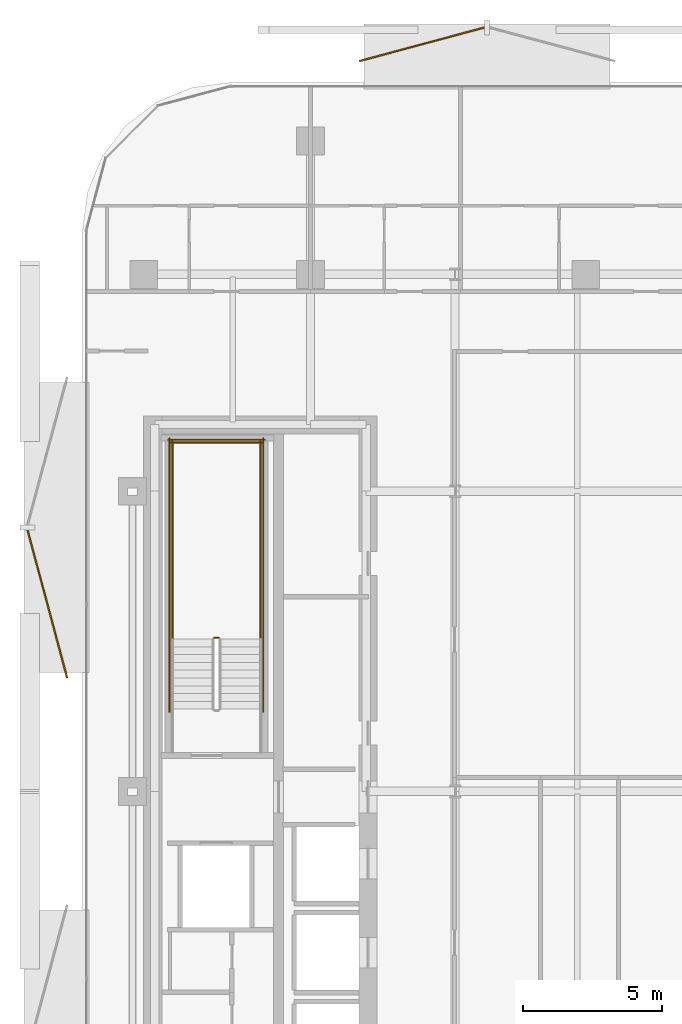
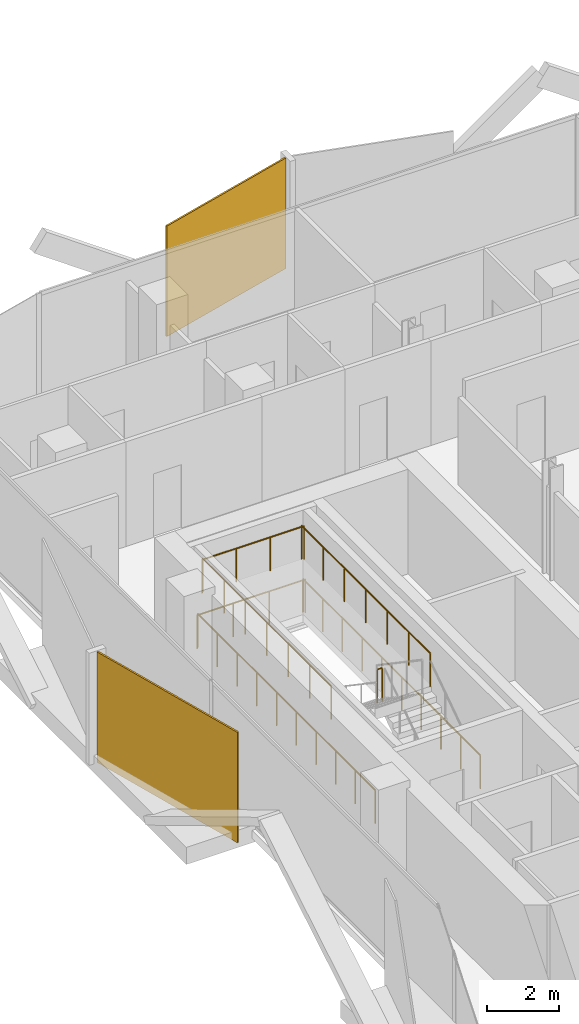
# One storey, part 16 of 17: 7 railings, 2 coverings.
"""IFC4 building model written with IfcOpenShell, lengths in metres."""

from ifc_helpers import new_model, si_unit, direction, frame, origin, origin_2d, place, context, subcontext, project, spatial, rectangle, circle, extrude, material, layer, layer_set, type_object, element, save


model = new_model("IFC4")

# Units and contexts
model_context = context("Model", 3, precision=1e-05, world=origin(), true_north=direction((0.0, 1.0)))
body_context = subcontext(model_context, "Body", "Model", "MODEL_VIEW")
ifc_project = project(units=[si_unit("LENGTHUNIT", "METRE"), si_unit("AREAUNIT", "SQUARE_METRE"), si_unit("VOLUMEUNIT", "CUBIC_METRE"), si_unit("PLANEANGLEUNIT", "RADIAN"), si_unit("MASSUNIT", "GRAM", prefix="KILO")], contexts=[model_context])

# Site, building, storey
site_placement = place(None, origin())
site = spatial("IfcSite", under=ifc_project, at=site_placement, CompositionType="ELEMENT")
building_placement = place(site_placement, origin())
building = spatial("IfcBuilding", under=site, at=building_placement, Name="Khairoan Windgate Tower", CompositionType="ELEMENT")
storey_placement = place(building_placement, frame((0.0, 0.0, 180.199951171875)))
storey = spatial("IfcBuildingStorey", under=building, at=storey_placement, Name="L41", CompositionType="ELEMENT", Elevation=180.199951171875)

# Coverings
ifc_material_1 = material(Name="Anodised Bronze Aluminium 6063-T6", Category="aluminium")
ifc_layer = layer(ifc_material_1, 0.054931640625, Name="Anodised Bronze Aluminium 6063-T6")
ifc_layer_set = layer_set([ifc_layer], Name="Anodised Bronze Aluminium 6063-T6")
covering_type = type_object("IfcCoveringType", Name="Perforated Bronze-Ceramic Folded Solar Screen Cladding BSC-1", PredefinedType="CLADDING", material=ifc_layer_set)
covering_1_placement = place(storey_placement, frame((-23.8671875, 6.74560546875, -0.10009765625), z_axis=(0.0, 0.0, 1.0), x_axis=(-0.258819045103, 0.965925826289, 0.0)))
element("IfcCovering", 1, at=covering_1_placement, inside=storey, type_object=covering_type, Name="L41 Folded Bronze Solar Screen Facet 268L", PredefinedType="CLADDING", context=body_context, shape_type="SweptSolid", body=[
    extrude(rectangle(XDim=5.507080078125, YDim=0.054931640625, at=origin_2d()), origin(), (0.0, 0.0, 1.0), 3.739990234375),
])
covering_2_placement = place(storey_placement, frame((-10.388916015625, 26.876220703125, -0.10009765625), z_axis=(0.0, 0.0, 1.0), x_axis=(0.965925826289, 0.258819045103, 0.0)))
element("IfcCovering", 2, at=covering_2_placement, inside=storey, type_object=covering_type, Name="L41 Folded Bronze Solar Screen Facet 269L", PredefinedType="CLADDING", context=body_context, shape_type="SweptSolid", body=[
    extrude(rectangle(XDim=4.666015625, YDim=0.054931640625, at=origin_2d()), origin(), (0.0, 0.0, 1.0), 3.739990234375),
])

# Railings
ifc_material_2 = material(Name="Steel S355", Category="steel")
railing_type = type_object("IfcRailingType", Name="Stairwell Safety Guardrail SGR-1150", PredefinedType="GUARDRAIL", material=ifc_material_2)
railing_1_placement = place(storey_placement, frame((-17.7099609375, 5.530029296875, 1.900146484375)))
element("IfcRailing", 3, at=railing_1_placement, inside=storey, type_object=railing_type, Name="L41 ST2 stair guard 2", PredefinedType="GUARDRAIL", context=body_context, shape_type="SweptSolid", body=[
    extrude(circle(Radius=0.02392578125, at=origin_2d()), frame((0.0, 0.0, 1.1259765625), z_axis=(-1.0, 0.0, 0.0), x_axis=(0.0, -1.0, 0.0)), (0.0, 0.0, 1.0), 0.150146484375),
    extrude(circle(Radius=0.02099609375, at=origin_2d()), origin(), (0.0, 0.0, 1.0), 1.101806640625),
    extrude(circle(Radius=0.02099609375, at=origin_2d()), frame((-0.150146484375, 0.0, 0.0)), (0.0, 0.0, 1.0), 1.101806640625),
])
for number, where, name in (
    (4, (-16.199951171875, 5.47998046875, 1.900146484375), "L41 ST2 stair guard 3"),
    (5, (-19.3701171875, 5.47998046875, 1.900146484375), "L41 ST2 stair guard 4"),
):
    element("IfcRailing", number, at=place(storey_placement, frame(where)), inside=storey, type_object=railing_type, Name=name, PredefinedType="GUARDRAIL", context=body_context, shape_type="SweptSolid", body=[
        extrude(circle(Radius=0.02392578125, at=origin_2d()), frame((0.0, 0.0, 1.1259765625), z_axis=(0.0, 1.0, 0.0), x_axis=(-1.0, 0.0, 0.0)), (0.0, 0.0, 1.0), 7.1201171875),
        extrude(circle(Radius=0.02099609375, at=origin_2d()), origin(), (0.0, 0.0, 1.0), 1.101806640625),
        extrude(circle(Radius=0.02099609375, at=origin_2d()), frame((0.0, 1.186767578125, 0.0)), (0.0, 0.0, 1.0), 1.101806640625),
        extrude(circle(Radius=0.02099609375, at=origin_2d()), frame((0.0, 2.373291015625, 0.0)), (0.0, 0.0, 1.0), 1.101806640625),
        extrude(circle(Radius=0.02099609375, at=origin_2d()), frame((0.0, 3.56005859375, 0.0)), (0.0, 0.0, 1.0), 1.101806640625),
        extrude(circle(Radius=0.02099609375, at=origin_2d()), frame((0.0, 4.746826171875, 0.0)), (0.0, 0.0, 1.0), 1.101806640625),
        extrude(circle(Radius=0.02099609375, at=origin_2d()), frame((0.0, 5.933349609375, 0.0)), (0.0, 0.0, 1.0), 1.101806640625),
        extrude(circle(Radius=0.02099609375, at=origin_2d()), frame((0.0, 7.1201171875, 0.0)), (0.0, 0.0, 1.0), 1.101806640625),
    ])
railing_2_placement = place(storey_placement, frame((-16.14990234375, 12.550048828125, 1.900146484375)))
element("IfcRailing", 6, at=railing_2_placement, inside=storey, type_object=railing_type, Name="L41 ST2 stair guard 5", PredefinedType="GUARDRAIL", context=body_context, shape_type="SweptSolid", body=[
    extrude(circle(Radius=0.02392578125, at=origin_2d()), frame((0.0, 0.0, 1.1259765625), z_axis=(-1.0, 0.0, 0.0), x_axis=(0.0, -1.0, 0.0)), (0.0, 0.0, 1.0), 3.27001953125),
    extrude(circle(Radius=0.02099609375, at=origin_2d()), origin(), (0.0, 0.0, 1.0), 1.101806640625),
    extrude(circle(Radius=0.02099609375, at=origin_2d()), frame((-1.090087890625, 0.0, 0.0)), (0.0, 0.0, 1.0), 1.101806640625),
    extrude(circle(Radius=0.02099609375, at=origin_2d()), frame((-2.179931640625, 0.0, 0.0)), (0.0, 0.0, 1.0), 1.101806640625),
    extrude(circle(Radius=0.02099609375, at=origin_2d()), frame((-3.27001953125, 0.0, 0.0)), (0.0, 0.0, 1.0), 1.101806640625),
])
for number, where, name in (
    (7, (-16.10009765625, 2.860107421875, 0.0), "L41 ST2 stair guard 10"),
    (8, (-19.469970703125, 2.860107421875, 0.0), "L41 ST2 stair guard 11"),
):
    element("IfcRailing", number, at=place(storey_placement, frame(where)), inside=storey, type_object=railing_type, Name=name, PredefinedType="GUARDRAIL", context=body_context, shape_type="SweptSolid", body=[
        extrude(circle(Radius=0.02392578125, at=origin_2d()), frame((0.0, 0.0, 1.1259765625), z_axis=(0.0, 1.0, 0.0), x_axis=(-1.0, 0.0, 0.0)), (0.0, 0.0, 1.0), 9.83984375),
        extrude(circle(Radius=0.02099609375, at=origin_2d()), origin(), (0.0, 0.0, 1.0), 1.101806640625),
        extrude(circle(Radius=0.02099609375, at=origin_2d()), frame((0.0, 1.09326171875, 0.0)), (0.0, 0.0, 1.0), 1.101806640625),
        extrude(circle(Radius=0.02099609375, at=origin_2d()), frame((0.0, 2.1865234375, 0.0)), (0.0, 0.0, 1.0), 1.101806640625),
        extrude(circle(Radius=0.02099609375, at=origin_2d()), frame((0.0, 3.280029296875, 0.0)), (0.0, 0.0, 1.0), 1.101806640625),
        extrude(circle(Radius=0.02099609375, at=origin_2d()), frame((0.0, 4.373291015625, 0.0)), (0.0, 0.0, 1.0), 1.101806640625),
        extrude(circle(Radius=0.02099609375, at=origin_2d()), frame((0.0, 5.466552734375, 0.0)), (0.0, 0.0, 1.0), 1.101806640625),
        extrude(circle(Radius=0.02099609375, at=origin_2d()), frame((0.0, 6.559814453125, 0.0)), (0.0, 0.0, 1.0), 1.101806640625),
        extrude(circle(Radius=0.02099609375, at=origin_2d()), frame((0.0, 7.6533203125, 0.0)), (0.0, 0.0, 1.0), 1.101806640625),
        extrude(circle(Radius=0.02099609375, at=origin_2d()), frame((0.0, 8.74658203125, 0.0)), (0.0, 0.0, 1.0), 1.101806640625),
        extrude(circle(Radius=0.02099609375, at=origin_2d()), frame((0.0, 9.83984375, 0.0)), (0.0, 0.0, 1.0), 1.101806640625),
    ])
railing_3_placement = place(storey_placement, frame((-16.050048828125, 12.64990234375, 0.0)))
element("IfcRailing", 9, at=railing_3_placement, inside=storey, type_object=railing_type, Name="L41 ST2 stair guard 12", PredefinedType="GUARDRAIL", context=body_context, shape_type="SweptSolid", body=[
    extrude(circle(Radius=0.02392578125, at=origin_2d()), frame((0.0, 0.0, 1.1259765625), z_axis=(-1.0, 0.0, 0.0), x_axis=(0.0, -1.0, 0.0)), (0.0, 0.0, 1.0), 3.469970703125),
    extrude(circle(Radius=0.02099609375, at=origin_2d()), origin(), (0.0, 0.0, 1.0), 1.101806640625),
    extrude(circle(Radius=0.02099609375, at=origin_2d()), frame((-1.15673828125, 0.0, 0.0)), (0.0, 0.0, 1.0), 1.101806640625),
    extrude(circle(Radius=0.02099609375, at=origin_2d()), frame((-2.313232421875, 0.0, 0.0)), (0.0, 0.0, 1.0), 1.101806640625),
    extrude(circle(Radius=0.02099609375, at=origin_2d()), frame((-3.469970703125, 0.0, 0.0)), (0.0, 0.0, 1.0), 1.101806640625),
])

save(model, "model.ifc")
